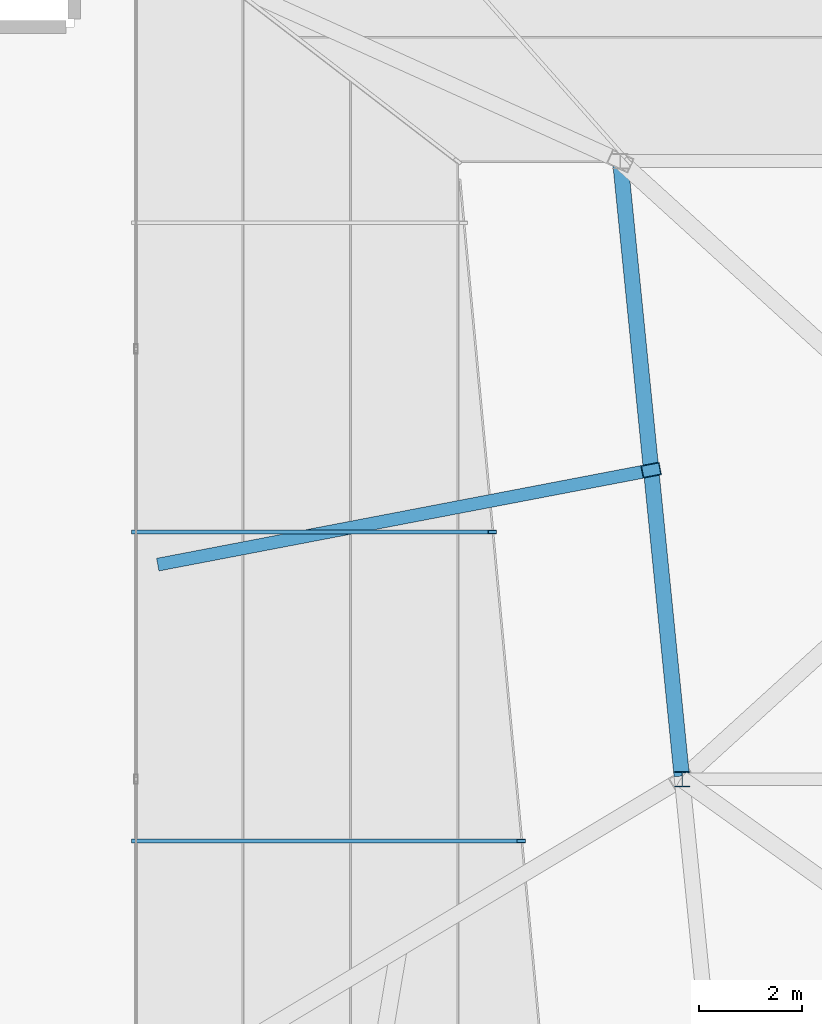
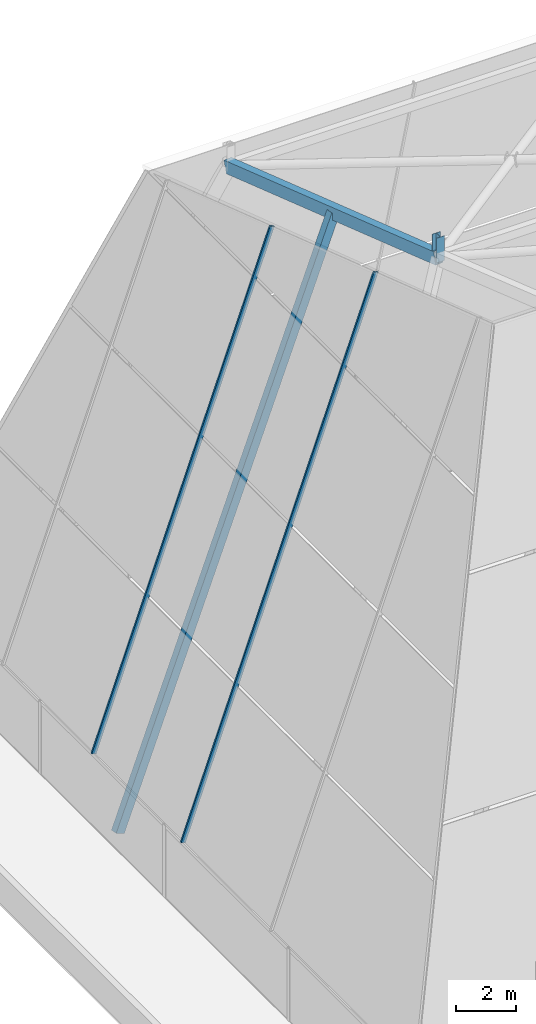
# One storey, part 10 of 32: 5 members, 1 element without a shape of its own.
"""IFC4 building model written with IfcOpenShell, lengths in metres."""

from ifc_helpers import new_model, si_unit, direction, frame, origin, origin_2d, place, context, subcontext, project, spatial, hollow_rectangle, i_section, extrude, source, transform, mapped, material, layer, layer_set, material_profile, profile_set, type_object, element, aggregate, save


model = new_model("IFC4")

# Units and contexts
model_context = context("Model", 3, precision=1e-05, world=origin(), true_north=direction((0.0, 1.0)))
body_context = subcontext(model_context, "Body", "Model", "MODEL_VIEW")
ifc_project = project(units=[si_unit("LENGTHUNIT", "METRE"), si_unit("AREAUNIT", "SQUARE_METRE"), si_unit("VOLUMEUNIT", "CUBIC_METRE"), si_unit("PLANEANGLEUNIT", "RADIAN"), si_unit("MASSUNIT", "GRAM", prefix="KILO")], contexts=[model_context])

# Site, building, storey
site_placement = place(None, origin())
site = spatial("IfcSite", under=ifc_project, at=site_placement, CompositionType="ELEMENT")
building_placement = place(site_placement, origin())
building = spatial("IfcBuilding", under=site, at=building_placement, Name="Sumidabori Civic Tower", CompositionType="ELEMENT")
storey_placement = place(building_placement, frame((0.0, 0.0, 298.199951171875)))
storey = spatial("IfcBuildingStorey", under=building, at=storey_placement, Name="RF Roof Crown", CompositionType="ELEMENT", Elevation=298.199951171875)

# Members
ifc_material_1 = material(Name="Steel SN490", Category="steel")
ifc_material_profile_1 = material_profile(ifc_material_1, hollow_rectangle(XDim=0.25, YDim=0.39990234375, WallThickness=0.01611328125, at=origin_2d()), Name="RHS 400x250x16")
ifc_profile_set_1 = profile_set([ifc_material_profile_1], Name="Steel SN490")
member_type_1 = type_object("IfcMemberType", Name="MB-CRN-HIP", PredefinedType="RAFTER", material=ifc_profile_set_1)
shared_shape_1 = source(origin(), body_context, "Body", "SweptSolid", [
    extrude(hollow_rectangle(XDim=0.25, YDim=0.39990234375, WallThickness=0.01611328125, at=origin_2d()), origin(), (0.0, 0.0, 1.0), 23.12353515625),
])
member_1_placement = place(storey_placement, frame((-16.0, 10.199951171875, 0.0), z_axis=(0.406506106355, 0.077844515146, 0.910325775181), x_axis=(-0.188079076941, 0.982153888562, 0.0)))
element("IfcMember", 1, at=member_1_placement, inside=storey, type_object=member_type_1, Name="Crown Structural Rafter RF-CW", PredefinedType="RAFTER", context=body_context, shape_type="MappedRepresentation", body=[
    mapped(shared_shape_1, transform((0.0, 0.0, 0.0), x_axis=(1.0, 0.0, 0.0), y_axis=(0.0, 1.0, 0.0), z_axis=(0.0, 0.0, 1.0), scale=1.0)),
])
ifc_material_profile_2 = material_profile(ifc_material_1, hollow_rectangle(XDim=0.300048828125, YDim=0.5, WallThickness=0.02001953125, at=origin_2d()), Name="RHS 500x300x20")
ifc_profile_set_2 = profile_set([ifc_material_profile_2], Name="Steel SN490")
member_type_2 = type_object("IfcMemberType", Name="MB-CRN-RAFTER", PredefinedType="RAFTER", material=ifc_profile_set_2)
shared_shape_2 = source(origin(), body_context, "Body", "SweptSolid", [
    extrude(hollow_rectangle(XDim=0.300048828125, YDim=0.5, WallThickness=0.02001953125, at=origin_2d()), origin(), (0.0, 0.0, 1.0), 12.451904296875),
])
member_2_placement = place(storey_placement, frame((-6.0, 6.0, 22.60009765625), z_axis=(-0.096366703969, 0.963706252998, -0.248965291353), x_axis=(-0.995037591075, -0.099499710289, 0.0)))
element("IfcMember", 2, at=member_2_placement, inside=storey, type_object=member_type_2, Name="Crown Structural Rafter RF-RIDGE-W2", PredefinedType="RAFTER", context=body_context, shape_type="MappedRepresentation", body=[
    mapped(shared_shape_2, transform((0.0, 0.0, 0.0), x_axis=(1.0, 0.0, 0.0), y_axis=(0.0, 1.0, 0.0), z_axis=(0.0, 0.0, 1.0), scale=1.0)),
])
ifc_material_profile_3 = material_profile(ifc_material_1, i_section(OverallWidth=0.300048828125, OverallDepth=0.300048828125, WebThickness=0.010986328125, FlangeThickness=0.01904296875, at=origin_2d()), Name="HE 300 B")
ifc_profile_set_3 = profile_set([ifc_material_profile_3], Name="Steel SN490")
member_type_3 = type_object("IfcMemberType", Name="MB-CRN-POST2", PredefinedType="POST", material=ifc_profile_set_3)
shared_shape_3 = source(origin(), body_context, "Body", "SweptSolid", [
    extrude(i_section(OverallWidth=0.300048828125, OverallDepth=0.300048828125, WebThickness=0.010986328125, FlangeThickness=0.01904296875, at=origin_2d()), origin(), (0.0, 0.0, 1.0), 1.010009765625),
])
member_3_placement = place(storey_placement, frame((-6.0, 6.0, 22.5), z_axis=(0.0, 0.0, 1.0), x_axis=(1.0, 0.0, 0.0)))
element("IfcMember", 3, at=member_3_placement, inside=storey, type_object=member_type_3, Name="Crown Ridge Cap King-Post CP-MW", PredefinedType="POST", context=body_context, shape_type="MappedRepresentation", body=[
    mapped(shared_shape_3, transform((0.0, 0.0, 0.0), x_axis=(1.0, 0.0, 0.0), y_axis=(0.0, 1.0, 0.0), z_axis=(0.0, 0.0, 1.0), scale=1.0)),
])

# Curtain wall, members
ifc_material_2 = material(Name="Anodised Bronze Aluminium AW-6063-T6", Category="aluminium")
ifc_layer = layer(ifc_material_2, 0.179931640625, Name="Anodised Bronze Aluminium AW-6063-T6")
ifc_layer_set = layer_set([ifc_layer], Name="Anodised Bronze Aluminium AW-6063-T6")
curtain_wall_type = type_object("IfcCurtainWallType", Name="CW-SYS-6", PredefinedType="NOTDEFINED", material=ifc_layer_set)
curtain_wall_placement = place(storey_placement, origin())
curtain_wall = element("IfcCurtainWall", 4, at=curtain_wall_placement, inside=storey, type_object=curtain_wall_type, Name="Glass-Point Crown West Cheek Curtain Wall", PredefinedType="NOTDEFINED")
ifc_material_profile_4 = material_profile(ifc_material_2, hollow_rectangle(XDim=0.070068359375, YDim=0.179931640625, WallThickness=0.006103515625, at=origin_2d()), Name="ALU MULLION 180x70")
ifc_profile_set_4 = profile_set([ifc_material_profile_4], Name="Anodised Bronze Aluminium AW-6063-T6")
member_type_4 = type_object("IfcMemberType", Name="CW-MUL-180", PredefinedType="MULLION", material=ifc_profile_set_4)
shared_shape_4 = source(origin(), body_context, "Body", "SweptSolid", [
    extrude(hollow_rectangle(XDim=0.070068359375, YDim=0.179931640625, WallThickness=0.006103515625, at=origin_2d()), origin(), (0.0, 0.0, 1.0), 22.0771484375),
])
member_4_placement = place(storey_placement, frame((-16.60009765625, 4.800048828125, 3.050048828125), z_axis=(0.33872416738, 0.0, 0.940885720177), x_axis=(0.0, 1.0, 0.0)))
member_4 = element("IfcMember", 5, at=member_4_placement, type_object=member_type_4, Name="Crown West Cheek Sloped Mullion M2", PredefinedType="MULLION", context=body_context, shape_type="MappedRepresentation", body=[
    mapped(shared_shape_4, transform((0.0, 0.0, 0.0), x_axis=(1.0, 0.0, 0.0), y_axis=(0.0, 1.0, 0.0), z_axis=(0.0, 0.0, 1.0), scale=1.0)),
])
shared_shape_5 = source(origin(), body_context, "Body", "SweptSolid", [
    extrude(hollow_rectangle(XDim=0.070068359375, YDim=0.179931640625, WallThickness=0.006103515625, at=origin_2d()), origin(), (0.0, 0.0, 1.0), 20.4189453125),
])
member_5_placement = place(storey_placement, frame((-16.60009765625, 10.800048828125, 3.050048828125), z_axis=(0.338728782841, 0.0, 0.940884058572), x_axis=(0.0, 1.0, 0.0)))
member_5 = element("IfcMember", 6, at=member_5_placement, type_object=member_type_4, Name="Crown West Cheek Sloped Mullion M3", PredefinedType="MULLION", context=body_context, shape_type="MappedRepresentation", body=[
    mapped(shared_shape_5, transform((0.0, 0.0, 0.0), x_axis=(1.0, 0.0, 0.0), y_axis=(0.0, 1.0, 0.0), z_axis=(0.0, 0.0, 1.0), scale=1.0)),
])
aggregate(curtain_wall, [member_4, member_5])

save(model, "model.ifc")
